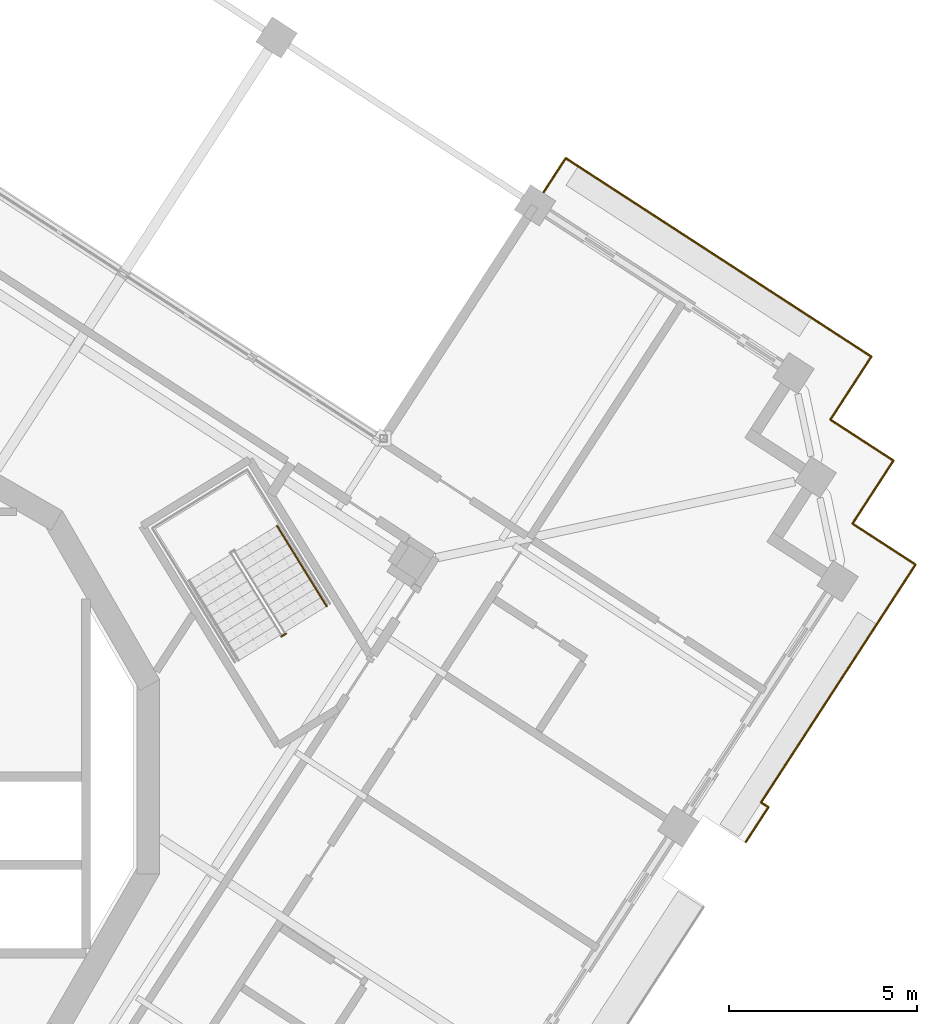
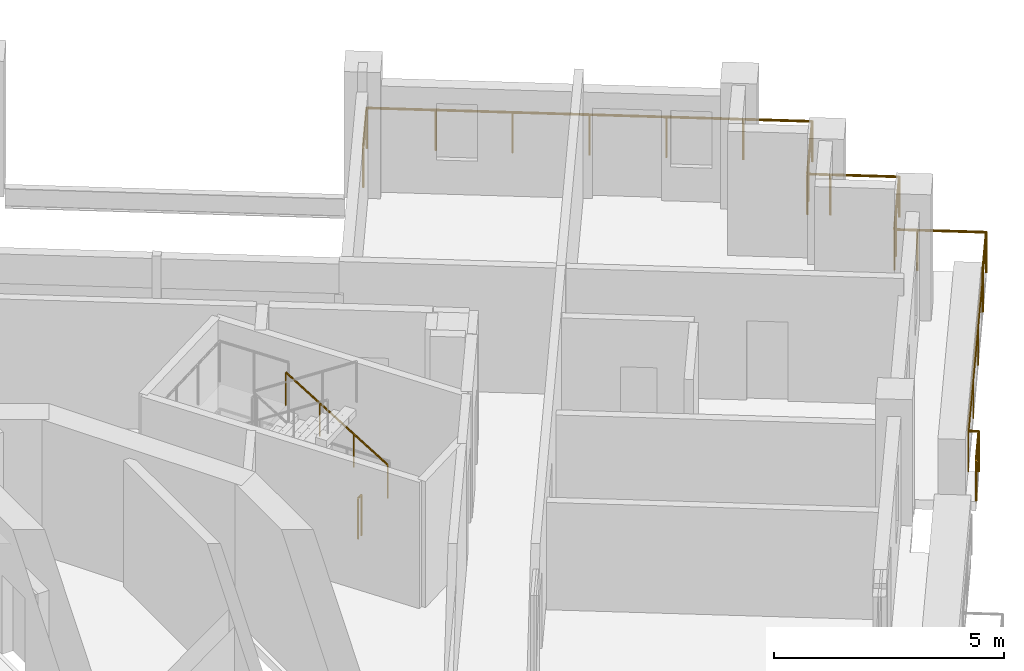
# One storey, part 16 of 17: 4 railings.
"""IFC4 building model written with IfcOpenShell, lengths in metres."""

from ifc_helpers import new_model, si_unit, direction, frame, origin, origin_2d, place, context, subcontext, project, spatial, circle, extrude, material, type_object, element, save


model = new_model("IFC4")

# Units and contexts
model_context = context("Model", 3, precision=1e-05, world=origin(), true_north=direction((0.0, 1.0)))
body_context = subcontext(model_context, "Body", "Model", "MODEL_VIEW")
ifc_project = project(units=[si_unit("LENGTHUNIT", "METRE"), si_unit("AREAUNIT", "SQUARE_METRE"), si_unit("VOLUMEUNIT", "CUBIC_METRE"), si_unit("PLANEANGLEUNIT", "RADIAN"), si_unit("MASSUNIT", "GRAM", prefix="KILO")], contexts=[model_context])

# Site, building, storey
site_placement = place(None, origin())
site = spatial("IfcSite", under=ifc_project, at=site_placement, CompositionType="ELEMENT")
building_placement = place(site_placement, origin())
building = spatial("IfcBuilding", under=site, at=building_placement, Name="Cantera Rosa Tower", CompositionType="ELEMENT")
storey_placement = place(building_placement, frame((0.0, 0.0, 279.300048828125)))
storey = spatial("IfcBuildingStorey", under=building, at=storey_placement, Name="L63", CompositionType="ELEMENT", Elevation=279.300048828125)

# Railings
ifc_material_1 = material(Name="Stainless steel and laminated glass", Category="steel")
railing_type_1 = type_object("IfcRailingType", Name="GUARD 1100", PredefinedType="BALUSTRADE", material=ifc_material_1)
railing_1_placement = place(storey_placement, frame((28.600830078125, 11.17578125, 0.0)))
element("IfcRailing", 1, at=railing_1_placement, inside=storey, type_object=railing_type_1, Name="GUARD L63-7", PredefinedType="BALUSTRADE", context=body_context, shape_type="SweptSolid", body=[
    extrude(circle(Radius=0.030029296875, at=origin_2d()), frame((0.0, 0.0, 1.070068359375), z_axis=(-0.544593548161, -0.8387001057, 0.0), x_axis=(0.8387001057, -0.544593548161, 0.0)), (0.0, 0.0, 1.0), 1.5),
    extrude(circle(Radius=0.030029296875, at=origin_2d()), frame((-0.81689453125, -1.258056640625, 1.070068359375), z_axis=(-0.544627753175, -0.83867789435, 0.0), x_axis=(0.83867789435, -0.544627753175, 0.0)), (0.0, 0.0, 1.0), 0.499755859375),
    extrude(circle(Radius=0.030029296875, at=origin_2d()), frame((-1.089111328125, -1.67724609375, 1.070068359375), z_axis=(0.838454772945, -0.544971186143, 0.0), x_axis=(0.544971186143, 0.838454772945, 0.0)), (0.0, 0.0, 1.0), 0.5),
    extrude(circle(Radius=0.030029296875, at=origin_2d()), frame((-0.669921875, -1.94970703125, 1.070068359375), z_axis=(0.8387001057, -0.544593548161, 0.0), x_axis=(0.544593548161, 0.8387001057, 0.0)), (0.0, 0.0, 1.0), 1.5),
    extrude(circle(Radius=0.030029296875, at=origin_2d()), frame((0.588134765625, -2.7666015625, 1.070068359375), z_axis=(-0.544593548161, -0.8387001057, 0.0), x_axis=(0.8387001057, -0.544593548161, 0.0)), (0.0, 0.0, 1.0), 1.5),
    extrude(circle(Radius=0.030029296875, at=origin_2d()), frame((-0.228759765625, -4.024658203125, 1.070068359375), z_axis=(-0.544627753175, -0.83867789435, 0.0), x_axis=(0.83867789435, -0.544627753175, 0.0)), (0.0, 0.0, 1.0), 0.499755859375),
    extrude(circle(Radius=0.030029296875, at=origin_2d()), frame((-0.5009765625, -4.44384765625, 1.070068359375), z_axis=(0.838454772945, -0.544971186143, 0.0), x_axis=(0.544971186143, 0.838454772945, 0.0)), (0.0, 0.0, 1.0), 0.5),
    extrude(circle(Radius=0.030029296875, at=origin_2d()), frame((-0.081787109375, -4.71630859375, 1.070068359375), z_axis=(0.8387001057, -0.544593548161, 0.0), x_axis=(0.544593548161, 0.8387001057, 0.0)), (0.0, 0.0, 1.0), 1.5),
    extrude(circle(Radius=0.030029296875, at=origin_2d()), frame((1.17626953125, -5.533203125, 1.070068359375), z_axis=(-0.544593548161, -0.8387001057, 0.0), x_axis=(0.8387001057, -0.544593548161, 0.0)), (0.0, 0.0, 1.0), 1.5),
    extrude(circle(Radius=0.030029296875, at=origin_2d()), frame((0.359375, -6.791259765625, 1.070068359375), z_axis=(-0.544663344191, -0.838654780881, 0.0), x_axis=(0.838654780881, -0.544663344191, 0.0)), (0.0, 0.0, 1.0), 6.047119140625),
    extrude(circle(Radius=0.030029296875, at=origin_2d()), frame((-2.934326171875, -11.86279296875, 1.070068359375), z_axis=(0.838922465859, -0.544250949726, 0.0), x_axis=(0.544250949726, 0.838922465859, 0.0)), (0.0, 0.0, 1.0), 0.23291015625),
    extrude(circle(Radius=0.030029296875, at=origin_2d()), frame((-2.739013671875, -11.989501953125, 1.070068359375), z_axis=(-0.544544776957, -0.838731772314, 0.0), x_axis=(0.838731772314, -0.544544776957, 0.0)), (0.0, 0.0, 1.0), 1.10302734375),
    extrude(circle(Radius=0.02490234375, at=origin_2d()), origin(), (0.0, 0.0, 1.0), 1.0400390625),
    extrude(circle(Radius=0.02490234375, at=origin_2d()), frame((-0.81689453125, -1.258056640625, 0.0)), (0.0, 0.0, 1.0), 1.0400390625),
    extrude(circle(Radius=0.02490234375, at=origin_2d()), frame((-1.089111328125, -1.67724609375, 0.0)), (0.0, 0.0, 1.0), 1.0400390625),
    extrude(circle(Radius=0.02490234375, at=origin_2d()), frame((-0.669921875, -1.94970703125, 0.0)), (0.0, 0.0, 1.0), 1.0400390625),
    extrude(circle(Radius=0.02490234375, at=origin_2d()), frame((0.588134765625, -2.7666015625, 0.0)), (0.0, 0.0, 1.0), 1.0400390625),
    extrude(circle(Radius=0.02490234375, at=origin_2d()), frame((-0.228759765625, -4.024658203125, 0.0)), (0.0, 0.0, 1.0), 1.0400390625),
    extrude(circle(Radius=0.02490234375, at=origin_2d()), frame((-0.5009765625, -4.44384765625, 0.0)), (0.0, 0.0, 1.0), 1.0400390625),
    extrude(circle(Radius=0.02490234375, at=origin_2d()), frame((-0.081787109375, -4.71630859375, 0.0)), (0.0, 0.0, 1.0), 1.0400390625),
    extrude(circle(Radius=0.02490234375, at=origin_2d()), frame((1.17626953125, -5.533203125, 0.0)), (0.0, 0.0, 1.0), 1.0400390625),
    extrude(circle(Radius=0.02490234375, at=origin_2d()), frame((0.359375, -6.791259765625, 0.0)), (0.0, 0.0, 1.0), 1.0400390625),
    extrude(circle(Radius=0.02490234375, at=origin_2d()), frame((-0.738525390625, -8.481689453125, 0.0)), (0.0, 0.0, 1.0), 1.0400390625),
    extrude(circle(Radius=0.02490234375, at=origin_2d()), frame((-1.83642578125, -10.17236328125, 0.0)), (0.0, 0.0, 1.0), 1.0400390625),
    extrude(circle(Radius=0.02490234375, at=origin_2d()), frame((-2.934326171875, -11.86279296875, 0.0)), (0.0, 0.0, 1.0), 1.0400390625),
    extrude(circle(Radius=0.02490234375, at=origin_2d()), frame((-2.739013671875, -11.989501953125, 0.0)), (0.0, 0.0, 1.0), 1.0400390625),
    extrude(circle(Radius=0.02490234375, at=origin_2d()), frame((-3.339599609375, -12.91455078125, 0.0)), (0.0, 0.0, 1.0), 1.0400390625),
])
railing_2_placement = place(storey_placement, frame((19.65966796875, 15.217529296875, 0.0)))
element("IfcRailing", 2, at=railing_2_placement, inside=storey, type_object=railing_type_1, Name="GUARD L63-8", PredefinedType="BALUSTRADE", context=body_context, shape_type="SweptSolid", body=[
    extrude(circle(Radius=0.030029296875, at=origin_2d()), frame((0.0, 0.0, 1.070068359375), z_axis=(0.544686812896, 0.838639538692, 0.0), x_axis=(-0.838639538692, 0.544686812896, 0.0)), (0.0, 0.0, 1.0), 1.47998046875),
    extrude(circle(Radius=0.030029296875, at=origin_2d()), frame((0.80615234375, 1.2412109375, 1.070068359375), z_axis=(0.8387001057, -0.544593548161, 0.0), x_axis=(0.544593548161, 0.8387001057, 0.0)), (0.0, 0.0, 1.0), 1.5),
    extrude(circle(Radius=0.030029296875, at=origin_2d()), frame((2.064208984375, 0.42431640625, 1.070068359375), z_axis=(0.838666659313, -0.544645053734, 0.0), x_axis=(0.544645053734, 0.838666659313, 0.0)), (0.0, 0.0, 1.0), 6.7001953125),
    extrude(circle(Radius=0.030029296875, at=origin_2d()), frame((7.683349609375, -3.224853515625, 1.070068359375), z_axis=(0.838651824232, -0.544667896716, 0.0), x_axis=(0.544667896716, 0.838651824232, 0.0)), (0.0, 0.0, 1.0), 1.499755859375),
    extrude(circle(Radius=0.02490234375, at=origin_2d()), origin(), (0.0, 0.0, 1.0), 1.0400390625),
    extrude(circle(Radius=0.02490234375, at=origin_2d()), frame((0.80615234375, 1.2412109375, 0.0)), (0.0, 0.0, 1.0), 1.0400390625),
    extrude(circle(Radius=0.02490234375, at=origin_2d()), frame((2.064208984375, 0.42431640625, 0.0)), (0.0, 0.0, 1.0), 1.0400390625),
    extrude(circle(Radius=0.02490234375, at=origin_2d()), frame((3.468994140625, -0.488037109375, 0.0)), (0.0, 0.0, 1.0), 1.0400390625),
    extrude(circle(Radius=0.02490234375, at=origin_2d()), frame((4.873779296875, -1.400390625, 0.0)), (0.0, 0.0, 1.0), 1.0400390625),
    extrude(circle(Radius=0.02490234375, at=origin_2d()), frame((6.278564453125, -2.3125, 0.0)), (0.0, 0.0, 1.0), 1.0400390625),
    extrude(circle(Radius=0.02490234375, at=origin_2d()), frame((7.683349609375, -3.224853515625, 0.0)), (0.0, 0.0, 1.0), 1.0400390625),
    extrude(circle(Radius=0.02490234375, at=origin_2d()), frame((8.941162109375, -4.041748046875, 0.0)), (0.0, 0.0, 1.0), 1.0400390625),
])
ifc_material_2 = material(Name="Steel S355J2 (EN 10025-2)", Category="steel")
railing_type_2 = type_object("IfcRailingType", Name="STAIR GUARD 1100", PredefinedType="GUARDRAIL", material=ifc_material_2)
railing_3_placement = place(storey_placement, frame((13.025146484375, 3.80517578125, 0.0)))
element("IfcRailing", 3, at=railing_3_placement, inside=storey, type_object=railing_type_2, Name="L63 ST-51 stair guard 3", PredefinedType="GUARDRAIL", context=body_context, shape_type="SweptSolid", body=[
    extrude(circle(Radius=0.02392578125, at=origin_2d()), frame((0.0, 0.0, 1.076171875), z_axis=(-0.851546489876, -0.524279100842, 0.0), x_axis=(0.524279100842, -0.851546489876, 0.0)), (0.0, 0.0, 1.0), 0.14990234375),
    extrude(circle(Radius=0.02099609375, at=origin_2d()), origin(), (0.0, 0.0, 1.0), 1.052001953125),
    extrude(circle(Radius=0.02099609375, at=origin_2d()), frame((-0.127685546875, -0.07861328125, 0.0)), (0.0, 0.0, 1.0), 1.052001953125),
])
ifc_material_3 = material(Name="Steel S355J2 (EN 10025-2)", Category="steel")
railing_type_3 = type_object("IfcRailingType", Name="STAIR HANDRAIL 900", PredefinedType="HANDRAIL", material=ifc_material_3)
railing_4_placement = place(storey_placement, frame((14.105224609375, 4.5302734375, 0.179931640625)))
element("IfcRailing", 4, at=railing_4_placement, inside=storey, type_object=railing_type_3, Name="L63 ST-51 stair handrail 1", PredefinedType="HANDRAIL", context=body_context, shape_type="SweptSolid", body=[
    extrude(circle(Radius=0.02392578125, at=origin_2d()), frame((0.0, 0.0, 0.8759765625), z_axis=(-0.441609067481, 0.715913574058, 0.540785711718), x_axis=(-0.851102330005, -0.524999832248, 0.0)), (0.0, 0.0, 1.0), 2.995849609375),
    extrude(circle(Radius=0.02099609375, at=origin_2d()), origin(), (0.0, 0.0, 1.0), 0.851806640625),
    extrude(circle(Radius=0.02099609375, at=origin_2d()), frame((-0.44091796875, 0.71484375, 0.5400390625)), (0.0, 0.0, 1.0), 0.851806640625),
    extrude(circle(Radius=0.02099609375, at=origin_2d()), frame((-0.882080078125, 1.429931640625, 1.080078125)), (0.0, 0.0, 1.0), 0.851806640625),
    extrude(circle(Radius=0.02099609375, at=origin_2d()), frame((-1.322998046875, 2.144775390625, 1.6201171875)), (0.0, 0.0, 1.0), 0.851806640625),
])

save(model, "model.ifc")
